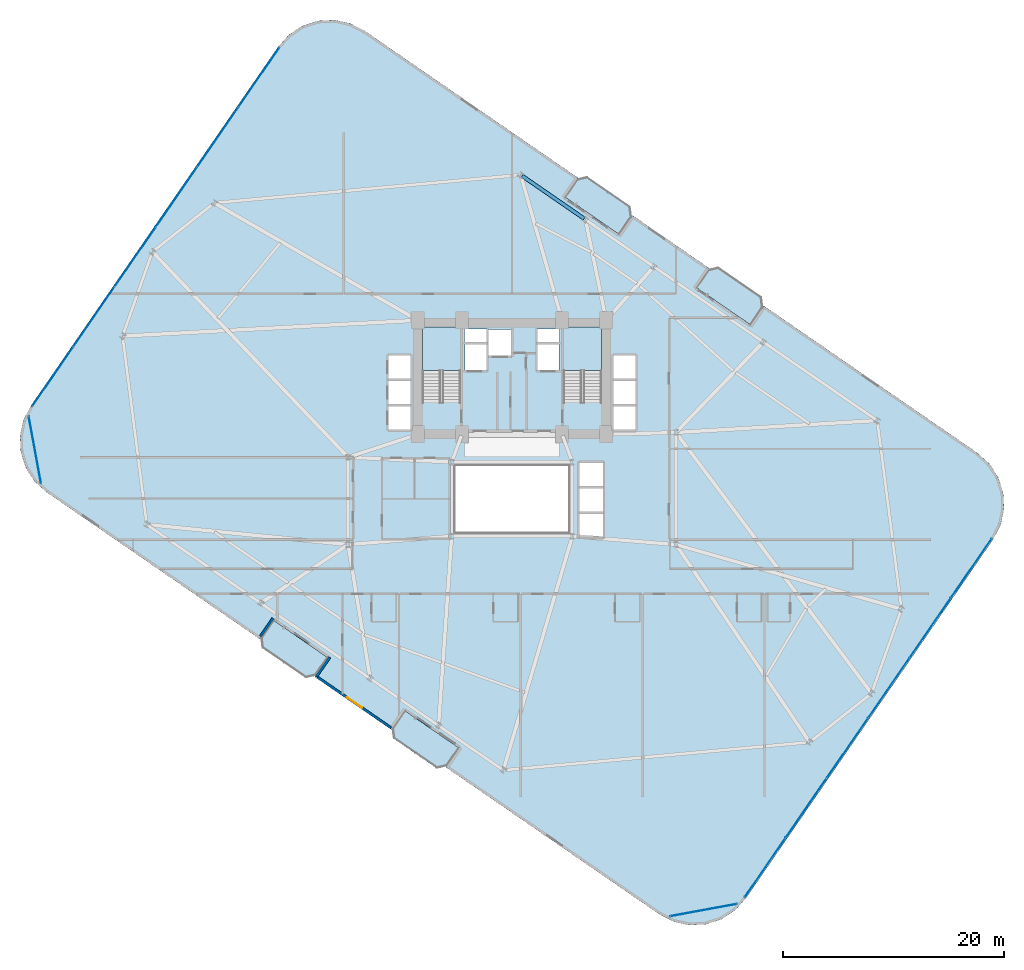
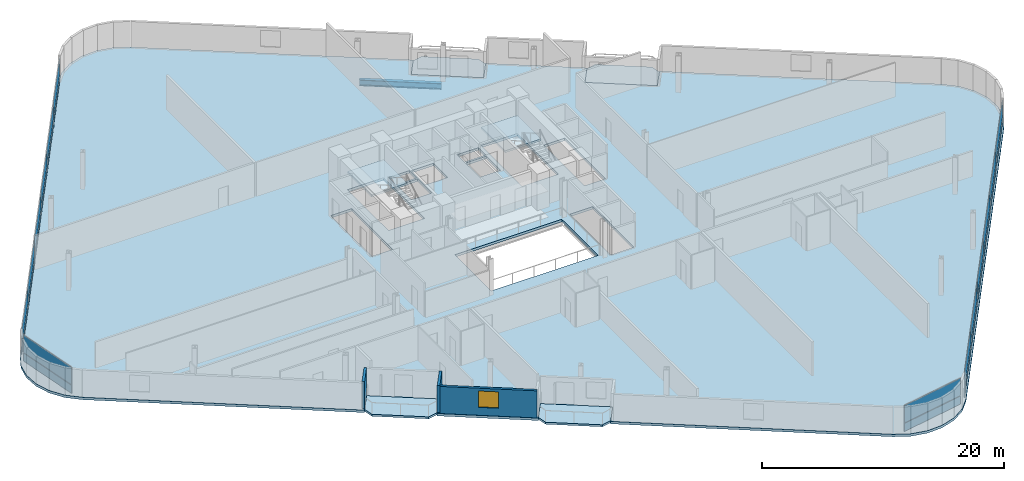
# One storey, part 18 of 26: 28 plates, 7 slabs, 3 walls, 1 beam, 1 window, 1 opening, 6 elements without a shape of their own.
"""IFC4 building model written with IfcOpenShell, lengths in metres."""

from ifc_helpers import new_model, si_unit, direction, frame, frame_2d, origin, origin_2d, place, context, subcontext, project, spatial, polyline, rectangle, i_section, outline, extrude, source, transform, mapped, material, layer, layer_set, material_profile, profile_set, type_object, element, fill, aggregate, save


model = new_model("IFC4")

# Units and contexts
model_context = context("Model", 3, precision=1e-05, world=origin(), true_north=direction((0.0, 1.0)))
body_context = subcontext(model_context, "Body", "Model", "MODEL_VIEW")
ifc_project = project(units=[si_unit("LENGTHUNIT", "METRE"), si_unit("AREAUNIT", "SQUARE_METRE"), si_unit("VOLUMEUNIT", "CUBIC_METRE"), si_unit("PLANEANGLEUNIT", "RADIAN"), si_unit("MASSUNIT", "GRAM", prefix="KILO")], contexts=[model_context])

# Site, building, storey
site_placement = place(None, origin())
site = spatial("IfcSite", under=ifc_project, at=site_placement, CompositionType="ELEMENT")
building_placement = place(site_placement, origin())
building = spatial("IfcBuilding", under=site, at=building_placement, Name="Varnelok Gate Tower", CompositionType="ELEMENT")
storey_placement = place(building_placement, frame((0.0, 0.0, 45.5)))
storey = spatial("IfcBuildingStorey", under=building, at=storey_placement, Name="L10", CompositionType="ELEMENT", Elevation=45.5)

# Beam
ifc_material_1 = material(Name="Structural Steel ASTM A992 Grade 50", Category="steel")
ifc_material_profile = material_profile(ifc_material_1, i_section(OverallWidth=0.323974609375, OverallDepth=0.611083984375, WebThickness=0.0126953125, FlangeThickness=0.01904296875, FilletRadius=0.01806640625, at=origin_2d()), Name="W24X104")
ifc_profile_set = profile_set([ifc_material_profile], Name="Structural Steel ASTM A992 Grade 50")
beam_type = type_object("IfcBeamType", Name="BM-SPN-W24X104", PredefinedType="SPANDREL", material=ifc_profile_set)
beam_placement = place(storey_placement, frame((45.708984375, 48.235107421875, -0.555419921875), z_axis=(-0.823553445566, 0.567238681947, 0.0), x_axis=(-0.567238681947, -0.823553445566, 0.0)))
element("IfcBeam", 1, at=beam_placement, inside=storey, type_object=beam_type, Name="L10 Perimeter Spandrel Beam 12", PredefinedType="SPANDREL", context=body_context, shape_type="SweptSolid", body=[
    extrude(i_section(OverallWidth=0.323974609375, OverallDepth=0.611083984375, WebThickness=0.0126953125, FlangeThickness=0.01904296875, FilletRadius=0.01806640625, at=origin_2d()), origin(), (0.0, 0.0, 1.0), 6.7998046875),
])

# Slabs
ifc_material_2 = material(Name="Concrete C45/55", Category="concrete")
ifc_layer_1 = layer(ifc_material_2, 0.199951171875)
ifc_layer_set_1 = layer_set([ifc_layer_1], Name="Concrete C45/55")
slab_type_1 = type_object("IfcSlabType", Name="SLB-BALC-200", PredefinedType="FLOOR", material=ifc_layer_set_1)
slab_1_placement = place(storey_placement, frame((0.0, 0.0, -0.199951171875)))
element("IfcSlab", 2, at=slab_1_placement, inside=storey, type_object=slab_type_1, Name="L10 South Hollow Balcony 1", PredefinedType="FLOOR", context=body_context, shape_type="SweptSolid", body=[
    extrude(outline(polyline([(16.5048828125, 10.3330078125), (16.67138671875, 9.42919921875), (20.5419921875, 6.762939453125), (21.446044921875, 6.929443359375), (22.58056640625, 8.57666015625), (17.639404296875, 11.980224609375), (16.5048828125, 10.3330078125)])), origin(), (0.0, 0.0, 1.0), 0.199951171875),
])
slab_2_placement = place(storey_placement, frame((0.0, 0.0, -0.199951171875)))
element("IfcSlab", 3, at=slab_2_placement, inside=storey, type_object=slab_type_1, Name="L10 South Hollow Balcony 2", PredefinedType="FLOOR", context=body_context, shape_type="SweptSolid", body=[
    extrude(outline(polyline([(28.36376953125, 2.164306640625), (28.5302734375, 1.260498046875), (32.40087890625, -1.40576171875), (33.304931640625, -1.2392578125), (34.439453125, 0.407958984375), (29.498291015625, 3.8115234375), (28.36376953125, 2.164306640625)])), origin(), (0.0, 0.0, 1.0), 0.199951171875),
])
slab_3_placement = place(storey_placement, frame((0.0, 0.0, -0.199951171875)))
element("IfcSlab", 4, at=slab_3_placement, inside=storey, type_object=slab_type_1, Name="L10 North Hollow Balcony 1", PredefinedType="FLOOR", context=body_context, shape_type="SweptSolid", body=[
    extrude(outline(polyline([(43.960693359375, 50.192138671875), (48.90185546875, 46.78857421875), (50.036376953125, 48.435546875), (49.869873046875, 49.339599609375), (45.999267578125, 52.005615234375), (45.09521484375, 51.839111328125), (43.960693359375, 50.192138671875)])), origin(), (0.0, 0.0, 1.0), 0.199951171875),
])
slab_4_placement = place(storey_placement, frame((0.0, 0.0, -0.199951171875)))
element("IfcSlab", 5, at=slab_4_placement, inside=storey, type_object=slab_type_1, Name="L10 North Hollow Balcony 2", PredefinedType="FLOOR", context=body_context, shape_type="SweptSolid", body=[
    extrude(outline(polyline([(55.819580078125, 42.0234375), (60.7607421875, 38.619873046875), (61.895263671875, 40.266845703125), (61.728515625, 41.1708984375), (57.85791015625, 43.837158203125), (56.9541015625, 43.67041015625), (55.819580078125, 42.0234375)])), origin(), (0.0, 0.0, 1.0), 0.199951171875),
])

# Stair, slab
ifc_material_3 = material(Name="Concrete C50/60", Category="concrete")
stair_type = type_object("IfcStairType", Name="STR-CORE-1650", PredefinedType="HALF_TURN_STAIR", material=ifc_material_3)
stair_1_placement = place(storey_placement, origin())
stair_1 = element("IfcStair", 6, at=stair_1_placement, inside=storey, type_object=stair_type, Name="L10 Exit Stair ST-1", PredefinedType="HALF_TURN_STAIR")
ifc_layer_2 = layer(ifc_material_2, 0.199951171875)
ifc_layer_set_2 = layer_set([ifc_layer_2], Name="Concrete C45/55")
slab_type_2 = type_object("IfcSlabType", Name="SLB-LAND-200", PredefinedType="LANDING", material=ifc_layer_set_2)
slab_5_placement = place(storey_placement, frame((0.0, 0.0, 1.64990234375)))
slab_5 = element("IfcSlab", 7, at=slab_5_placement, type_object=slab_type_2, Name="ST-1 landing 1", PredefinedType="LANDING", context=body_context, shape_type="SweptSolid", body=[
    extrude(outline(polyline([(34.550048828125, 34.5), (34.550048828125, 38.449951171875), (31.10009765625, 38.449951171875), (31.10009765625, 34.5), (34.550048828125, 34.5)])), origin(), (0.0, 0.0, 1.0), 0.2001953125),
])
aggregate(stair_1, [slab_5])

stair_2_placement = place(storey_placement, origin())
stair_2 = element("IfcStair", 8, at=stair_2_placement, inside=storey, type_object=stair_type, Name="L10 Exit Stair ST-2", PredefinedType="HALF_TURN_STAIR")
slab_6_placement = place(storey_placement, frame((0.0, 0.0, 1.64990234375)))
slab_6 = element("IfcSlab", 9, at=slab_6_placement, type_object=slab_type_2, Name="ST-2 landing 1", PredefinedType="LANDING", context=body_context, shape_type="SweptSolid", body=[
    extrude(outline(polyline([(47.300048828125, 34.5), (47.300048828125, 38.449951171875), (43.85009765625, 38.449951171875), (43.85009765625, 34.5), (47.300048828125, 34.5)])), origin(), (0.0, 0.0, 1.0), 0.2001953125),
])
aggregate(stair_2, [slab_6])

# Slab
ifc_layer_3 = layer(ifc_material_3, 0.25)
ifc_layer_set_3 = layer_set([ifc_layer_3], Name="Concrete C50/60")
slab_type_3 = type_object("IfcSlabType", Name="SLB-TYP-250", PredefinedType="FLOOR", material=ifc_layer_set_3)
slab_7_placement = place(storey_placement, frame((0.0, 0.0, -0.25)))
element("IfcSlab", 10, at=slab_7_placement, inside=storey, type_object=slab_type_3, Name="L10 Structural Floor Slab", PredefinedType="FLOOR", context=body_context, shape_type="SweptSolid", body=[
    extrude(outline(polyline([(-4.2578125, 31.3134765625), (-4.922607421875, 30.011474609375), (-5.22802734375, 28.581787109375), (-5.1533203125, 27.121826171875), (-4.702880859375, 25.731201171875), (-3.907958984375, 24.504150390625), (-2.822509765625, 23.52490234375), (7.7734375, 16.22607421875), (16.447998046875, 10.250732421875), (17.639404296875, 11.980224609375), (22.58056640625, 8.57666015625), (21.389404296875, 6.84716796875), (28.306884765625, 2.08203125), (29.498291015625, 3.8115234375), (34.439453125, 0.407958984375), (33.248046875, -1.321533203125), (41.922607421875, -7.296875), (52.518798828125, -14.595703125), (53.82080078125, -15.2607421875), (55.250244140625, -15.566162109375), (56.710205078125, -15.4912109375), (58.10107421875, -15.040771484375), (59.327880859375, -14.245849609375), (60.307373046875, -13.160400390625), (82.65771484375, 19.28662109375), (83.32275390625, 20.58837890625), (83.628173828125, 22.018310546875), (83.55322265625, 23.47802734375), (83.102783203125, 24.868896484375), (82.30810546875, 26.095703125), (81.22265625, 27.0751953125), (70.62646484375, 34.3740234375), (61.951904296875, 40.34912109375), (60.7607421875, 38.619873046875), (55.819580078125, 42.0234375), (57.0107421875, 43.752685546875), (50.093017578125, 48.517822265625), (48.90185546875, 46.78857421875), (43.960693359375, 50.192138671875), (45.15185546875, 51.92138671875), (36.477294921875, 57.896728515625), (25.881103515625, 65.195556640625), (24.579345703125, 65.860595703125), (23.149658203125, 66.166015625), (21.689697265625, 66.091064453125), (20.299072265625, 65.640869140625), (19.072021484375, 64.845947265625), (18.0927734375, 63.760498046875), (-4.2578125, 31.3134765625)]), holes=[polyline([(34.550048828125, 31.679931640625), (34.550048828125, 38.449951171875), (31.10009765625, 38.449951171875), (31.10009765625, 31.679931640625), (34.550048828125, 31.679931640625)]), polyline([(47.300048828125, 31.679931640625), (47.300048828125, 38.449951171875), (43.85009765625, 38.449951171875), (43.85009765625, 31.679931640625), (47.300048828125, 31.679931640625)]), polyline([(34.949951171875, 34.550048828125), (36.89990234375, 34.550048828125), (36.89990234375, 36.89990234375), (34.949951171875, 36.89990234375), (34.949951171875, 34.550048828125)]), polyline([(41.5, 34.550048828125), (43.449951171875, 34.550048828125), (43.449951171875, 36.89990234375), (41.5, 36.89990234375), (41.5, 34.550048828125)]), polyline([(37.050048828125, 35.85009765625), (39.14990234375, 35.85009765625), (39.14990234375, 38.199951171875), (37.050048828125, 38.199951171875), (37.050048828125, 35.85009765625)]), polyline([(28.050048828125, 29.14990234375), (30.050048828125, 29.14990234375), (30.050048828125, 35.89990234375), (28.050048828125, 35.89990234375), (28.050048828125, 29.14990234375)]), polyline([(48.35009765625, 29.14990234375), (50.35009765625, 29.14990234375), (50.35009765625, 35.89990234375), (48.35009765625, 35.89990234375), (48.35009765625, 29.14990234375)]), polyline([(45.25, 19.449951171875), (47.449951171875, 19.449951171875), (47.449951171875, 26.199951171875), (45.25, 26.199951171875), (45.25, 19.449951171875)]), polyline([(34.919921875, 37.080078125), (36.89990234375, 37.080078125), (36.89990234375, 38.280029296875), (34.919921875, 38.280029296875), (34.919921875, 37.080078125)]), polyline([(41.5, 37.080078125), (43.47998046875, 37.080078125), (43.47998046875, 38.280029296875), (41.5, 38.280029296875), (41.5, 37.080078125)]), polyline([(34.10009765625, 19.89990234375), (44.300048828125, 19.89990234375), (44.300048828125, 25.89990234375), (34.10009765625, 25.89990234375), (34.10009765625, 19.89990234375)])]), origin(), (0.0, 0.0, 1.0), 0.25),
])

# Curtain wall, plates
ifc_material_4 = material(Name="Anodized Aluminum Alloy 6063-T6", Category="aluminium")
ifc_layer_4 = layer(ifc_material_4, 0.179931640625)
ifc_layer_set_4 = layer_set([ifc_layer_4], Name="Anodized Aluminum Alloy 6063-T6")
curtain_wall_type_1 = type_object("IfcCurtainWallType", Name="CW3-HOTEL-VISION", PredefinedType="USERDEFINED", material=ifc_layer_set_4)
curtain_wall_1_placement = place(storey_placement, origin())
curtain_wall_1 = element("IfcCurtainWall", 11, at=curtain_wall_1_placement, inside=storey, type_object=curtain_wall_type_1, Name="L10 West End Vision Curtain Wall", ObjectType="UNITISED CURTAIN WALL", PredefinedType="USERDEFINED")
ifc_material_5 = material(Name="Low-E Laminated Double Glazing IGU", Category="glass")
ifc_layer_5 = layer(ifc_material_5, 0.031982421875)
ifc_layer_set_5 = layer_set([ifc_layer_5], Name="Low-E Laminated Double Glazing IGU")
plate_type_1 = type_object("IfcPlateType", Name="CW-PNL-IGU32", PredefinedType="CURTAIN_PANEL", material=ifc_layer_set_5)
shared_shape_1 = source(origin(), body_context, "Body", "SweptSolid", [
    extrude(rectangle(XDim=6.46923828125, YDim=0.031982421875, at=origin_2d()), origin(), (0.0, 0.0, 1.0), 0.802490234375),
])
plate_1_placement = place(storey_placement, frame((-2.270751953125, 33.951171875, 0.06494140625), z_axis=(0.0, 0.0, 1.0), x_axis=(0.567268822124, 0.823532685111, 0.0)))
plate_1 = element("IfcPlate", 12, at=plate_1_placement, type_object=plate_type_1, Name="CW3 panel 1.1", PredefinedType="CURTAIN_PANEL", context=body_context, shape_type="MappedRepresentation", body=[
    mapped(shared_shape_1, transform((0.0, 0.0, 0.0), scale=1.0)),
])
plate_2_placement = place(storey_placement, frame((16.336181640625, 60.9638671875, 0.06494140625), z_axis=(0.0, 0.0, 1.0), x_axis=(0.567268822124, 0.823532685111, 0.0)))
plate_2 = element("IfcPlate", 13, at=plate_2_placement, type_object=plate_type_1, Name="CW3 panel 6.1", PredefinedType="CURTAIN_PANEL", context=body_context, shape_type="MappedRepresentation", body=[
    mapped(shared_shape_1, transform((0.0, 0.0, 0.0), scale=1.0)),
])

curtain_wall_2_placement = place(storey_placement, origin())
curtain_wall_2 = element("IfcCurtainWall", 14, at=curtain_wall_2_placement, inside=storey, type_object=curtain_wall_type_1, Name="L10 East End Vision Curtain Wall", ObjectType="UNITISED CURTAIN WALL", PredefinedType="USERDEFINED")
plate_3_placement = place(storey_placement, frame((80.670654296875, 16.648681640625, 0.06494140625), z_axis=(0.0, 0.0, 1.0), x_axis=(-0.567268822124, -0.823532685111, 0.0)))
plate_3 = element("IfcPlate", 15, at=plate_3_placement, type_object=plate_type_1, Name="CW3 panel 1.1", PredefinedType="CURTAIN_PANEL", context=body_context, shape_type="MappedRepresentation", body=[
    mapped(shared_shape_1, transform((0.0, 0.0, 0.0), scale=1.0)),
])
plate_4_placement = place(storey_placement, frame((62.063720703125, -10.36376953125, 0.06494140625), z_axis=(0.0, 0.0, 1.0), x_axis=(-0.567268822124, -0.823532685111, 0.0)))
plate_4 = element("IfcPlate", 16, at=plate_4_placement, type_object=plate_type_1, Name="CW3 panel 6.1", PredefinedType="CURTAIN_PANEL", context=body_context, shape_type="MappedRepresentation", body=[
    mapped(shared_shape_1, transform((0.0, 0.0, 0.0), scale=1.0)),
])

# Plate
shared_shape_2 = source(origin(), body_context, "Body", "SweptSolid", [
    extrude(rectangle(XDim=6.46923828125, YDim=0.031982421875, at=origin_2d()), origin(), (0.0, 0.0, 1.0), 1.732421875),
])
plate_5_placement = place(storey_placement, frame((-2.270751953125, 33.951171875, 0.9326171875), z_axis=(0.0, 0.0, 1.0), x_axis=(0.567268822124, 0.823532685111, 0.0)))
plate_5 = element("IfcPlate", 17, at=plate_5_placement, type_object=plate_type_1, Name="CW3 panel 1.2", PredefinedType="CURTAIN_PANEL", context=body_context, shape_type="MappedRepresentation", body=[
    mapped(shared_shape_2, transform((0.0, 0.0, 0.0), scale=1.0)),
])

plate_6_placement = place(storey_placement, frame((16.336181640625, 60.9638671875, 0.9326171875), z_axis=(0.0, 0.0, 1.0), x_axis=(0.567268822124, 0.823532685111, 0.0)))
plate_6 = element("IfcPlate", 18, at=plate_6_placement, type_object=plate_type_1, Name="CW3 panel 6.2", PredefinedType="CURTAIN_PANEL", context=body_context, shape_type="MappedRepresentation", body=[
    mapped(shared_shape_2, transform((0.0, 0.0, 0.0), scale=1.0)),
])

plate_7_placement = place(storey_placement, frame((80.670654296875, 16.648681640625, 0.9326171875), z_axis=(0.0, 0.0, 1.0), x_axis=(-0.567268822124, -0.823532685111, 0.0)))
plate_7 = element("IfcPlate", 19, at=plate_7_placement, type_object=plate_type_1, Name="CW3 panel 1.2", PredefinedType="CURTAIN_PANEL", context=body_context, shape_type="MappedRepresentation", body=[
    mapped(shared_shape_2, transform((0.0, 0.0, 0.0), scale=1.0)),
])

plate_8_placement = place(storey_placement, frame((62.063720703125, -10.36376953125, 0.9326171875), z_axis=(0.0, 0.0, 1.0), x_axis=(-0.567268822124, -0.823532685111, 0.0)))
plate_8 = element("IfcPlate", 20, at=plate_8_placement, type_object=plate_type_1, Name="CW3 panel 6.2", PredefinedType="CURTAIN_PANEL", context=body_context, shape_type="MappedRepresentation", body=[
    mapped(shared_shape_2, transform((0.0, 0.0, 0.0), scale=1.0)),
])

shared_shape_3 = source(origin(), body_context, "Body", "SweptSolid", [
    extrude(rectangle(XDim=6.501708984375, YDim=0.031982421875, at=origin_2d()), origin(), (0.0, 0.0, 1.0), 0.802490234375),
])
plate_9_placement = place(storey_placement, frame((1.4453125, 39.345703125, 0.06494140625), z_axis=(0.0, 0.0, 1.0), x_axis=(0.567268822124, 0.823532685111, 0.0)))
plate_9 = element("IfcPlate", 21, at=plate_9_placement, type_object=plate_type_1, Name="CW3 panel 2.1", PredefinedType="CURTAIN_PANEL", context=body_context, shape_type="MappedRepresentation", body=[
    mapped(shared_shape_3, transform((0.0, 0.0, 0.0), scale=1.0)),
])

plate_10_placement = place(storey_placement, frame((5.170166015625, 44.753662109375, 0.06494140625), z_axis=(0.0, 0.0, 1.0), x_axis=(0.567268822124, 0.823532685111, 0.0)))
plate_10 = element("IfcPlate", 22, at=plate_10_placement, type_object=plate_type_1, Name="CW3 panel 3.1", PredefinedType="CURTAIN_PANEL", context=body_context, shape_type="MappedRepresentation", body=[
    mapped(shared_shape_3, transform((0.0, 0.0, 0.0), scale=1.0)),
])

plate_11_placement = place(storey_placement, frame((8.895263671875, 50.161376953125, 0.06494140625), z_axis=(0.0, 0.0, 1.0), x_axis=(0.567268822124, 0.823532685111, 0.0)))
plate_11 = element("IfcPlate", 23, at=plate_11_placement, type_object=plate_type_1, Name="CW3 panel 4.1", PredefinedType="CURTAIN_PANEL", context=body_context, shape_type="MappedRepresentation", body=[
    mapped(shared_shape_3, transform((0.0, 0.0, 0.0), scale=1.0)),
])

plate_12_placement = place(storey_placement, frame((12.620361328125, 55.5693359375, 0.06494140625), z_axis=(0.0, 0.0, 1.0), x_axis=(0.567268822124, 0.823532685111, 0.0)))
plate_12 = element("IfcPlate", 24, at=plate_12_placement, type_object=plate_type_1, Name="CW3 panel 5.1", PredefinedType="CURTAIN_PANEL", context=body_context, shape_type="MappedRepresentation", body=[
    mapped(shared_shape_3, transform((0.0, 0.0, 0.0), scale=1.0)),
])

plate_13_placement = place(storey_placement, frame((76.954833984375, 11.25439453125, 0.06494140625), z_axis=(0.0, 0.0, 1.0), x_axis=(-0.567268822124, -0.823532685111, 0.0)))
plate_13 = element("IfcPlate", 25, at=plate_13_placement, type_object=plate_type_1, Name="CW3 panel 2.1", PredefinedType="CURTAIN_PANEL", context=body_context, shape_type="MappedRepresentation", body=[
    mapped(shared_shape_3, transform((0.0, 0.0, 0.0), scale=1.0)),
])

plate_14_placement = place(storey_placement, frame((73.229736328125, 5.846435546875, 0.06494140625), z_axis=(0.0, 0.0, 1.0), x_axis=(-0.567268822124, -0.823532685111, 0.0)))
plate_14 = element("IfcPlate", 26, at=plate_14_placement, type_object=plate_type_1, Name="CW3 panel 3.1", PredefinedType="CURTAIN_PANEL", context=body_context, shape_type="MappedRepresentation", body=[
    mapped(shared_shape_3, transform((0.0, 0.0, 0.0), scale=1.0)),
])

plate_15_placement = place(storey_placement, frame((69.504638671875, 0.4384765625, 0.06494140625), z_axis=(0.0, 0.0, 1.0), x_axis=(-0.567268822124, -0.823532685111, 0.0)))
plate_15 = element("IfcPlate", 27, at=plate_15_placement, type_object=plate_type_1, Name="CW3 panel 4.1", PredefinedType="CURTAIN_PANEL", context=body_context, shape_type="MappedRepresentation", body=[
    mapped(shared_shape_3, transform((0.0, 0.0, 0.0), scale=1.0)),
])

plate_16_placement = place(storey_placement, frame((65.779541015625, -4.96923828125, 0.06494140625), z_axis=(0.0, 0.0, 1.0), x_axis=(-0.567268822124, -0.823532685111, 0.0)))
plate_16 = element("IfcPlate", 28, at=plate_16_placement, type_object=plate_type_1, Name="CW3 panel 5.1", PredefinedType="CURTAIN_PANEL", context=body_context, shape_type="MappedRepresentation", body=[
    mapped(shared_shape_3, transform((0.0, 0.0, 0.0), scale=1.0)),
])

shared_shape_4 = source(origin(), body_context, "Body", "SweptSolid", [
    extrude(rectangle(XDim=6.501708984375, YDim=0.031982421875, at=origin_2d()), origin(), (0.0, 0.0, 1.0), 1.732421875),
])
plate_17_placement = place(storey_placement, frame((1.4453125, 39.345703125, 0.9326171875), z_axis=(0.0, 0.0, 1.0), x_axis=(0.567268822124, 0.823532685111, 0.0)))
plate_17 = element("IfcPlate", 29, at=plate_17_placement, type_object=plate_type_1, Name="CW3 panel 2.2", PredefinedType="CURTAIN_PANEL", context=body_context, shape_type="MappedRepresentation", body=[
    mapped(shared_shape_4, transform((0.0, 0.0, 0.0), scale=1.0)),
])

plate_18_placement = place(storey_placement, frame((5.170166015625, 44.753662109375, 0.9326171875), z_axis=(0.0, 0.0, 1.0), x_axis=(0.567268822124, 0.823532685111, 0.0)))
plate_18 = element("IfcPlate", 30, at=plate_18_placement, type_object=plate_type_1, Name="CW3 panel 3.2", PredefinedType="CURTAIN_PANEL", context=body_context, shape_type="MappedRepresentation", body=[
    mapped(shared_shape_4, transform((0.0, 0.0, 0.0), scale=1.0)),
])

plate_19_placement = place(storey_placement, frame((8.895263671875, 50.161376953125, 0.9326171875), z_axis=(0.0, 0.0, 1.0), x_axis=(0.567268822124, 0.823532685111, 0.0)))
plate_19 = element("IfcPlate", 31, at=plate_19_placement, type_object=plate_type_1, Name="CW3 panel 4.2", PredefinedType="CURTAIN_PANEL", context=body_context, shape_type="MappedRepresentation", body=[
    mapped(shared_shape_4, transform((0.0, 0.0, 0.0), scale=1.0)),
])

plate_20_placement = place(storey_placement, frame((12.620361328125, 55.5693359375, 0.9326171875), z_axis=(0.0, 0.0, 1.0), x_axis=(0.567268822124, 0.823532685111, 0.0)))
plate_20 = element("IfcPlate", 32, at=plate_20_placement, type_object=plate_type_1, Name="CW3 panel 5.2", PredefinedType="CURTAIN_PANEL", context=body_context, shape_type="MappedRepresentation", body=[
    mapped(shared_shape_4, transform((0.0, 0.0, 0.0), scale=1.0)),
])

aggregate(curtain_wall_1, [plate_1, plate_5, plate_9, plate_17, plate_10, plate_18, plate_11, plate_19, plate_12, plate_20, plate_2, plate_6])

plate_21_placement = place(storey_placement, frame((76.954833984375, 11.25439453125, 0.9326171875), z_axis=(0.0, 0.0, 1.0), x_axis=(-0.567268822124, -0.823532685111, 0.0)))
plate_21 = element("IfcPlate", 33, at=plate_21_placement, type_object=plate_type_1, Name="CW3 panel 2.2", PredefinedType="CURTAIN_PANEL", context=body_context, shape_type="MappedRepresentation", body=[
    mapped(shared_shape_4, transform((0.0, 0.0, 0.0), scale=1.0)),
])

plate_22_placement = place(storey_placement, frame((73.229736328125, 5.846435546875, 0.9326171875), z_axis=(0.0, 0.0, 1.0), x_axis=(-0.567268822124, -0.823532685111, 0.0)))
plate_22 = element("IfcPlate", 34, at=plate_22_placement, type_object=plate_type_1, Name="CW3 panel 3.2", PredefinedType="CURTAIN_PANEL", context=body_context, shape_type="MappedRepresentation", body=[
    mapped(shared_shape_4, transform((0.0, 0.0, 0.0), scale=1.0)),
])

plate_23_placement = place(storey_placement, frame((69.504638671875, 0.4384765625, 0.9326171875), z_axis=(0.0, 0.0, 1.0), x_axis=(-0.567268822124, -0.823532685111, 0.0)))
plate_23 = element("IfcPlate", 35, at=plate_23_placement, type_object=plate_type_1, Name="CW3 panel 4.2", PredefinedType="CURTAIN_PANEL", context=body_context, shape_type="MappedRepresentation", body=[
    mapped(shared_shape_4, transform((0.0, 0.0, 0.0), scale=1.0)),
])

plate_24_placement = place(storey_placement, frame((65.779541015625, -4.96923828125, 0.9326171875), z_axis=(0.0, 0.0, 1.0), x_axis=(-0.567268822124, -0.823532685111, 0.0)))
plate_24 = element("IfcPlate", 36, at=plate_24_placement, type_object=plate_type_1, Name="CW3 panel 5.2", PredefinedType="CURTAIN_PANEL", context=body_context, shape_type="MappedRepresentation", body=[
    mapped(shared_shape_4, transform((0.0, 0.0, 0.0), scale=1.0)),
])

aggregate(curtain_wall_2, [plate_3, plate_7, plate_13, plate_21, plate_14, plate_22, plate_15, plate_23, plate_16, plate_24, plate_4, plate_8])

# Curtain wall, plate
ifc_layer_6 = layer(ifc_material_4, 0.179931640625)
ifc_layer_set_6 = layer_set([ifc_layer_6], Name="Anodized Aluminum Alloy 6063-T6")
curtain_wall_type_2 = type_object("IfcCurtainWallType", Name="CW5-WINDCORNER-GLAZ", PredefinedType="USERDEFINED", material=ifc_layer_set_6)
curtain_wall_3_placement = place(storey_placement, origin())
curtain_wall_3 = element("IfcCurtainWall", 37, at=curtain_wall_3_placement, inside=storey, type_object=curtain_wall_type_2, Name="L10 Wind-Shaped Corner Curtain Wall SW", ObjectType="STRUCTURAL GLAZING", PredefinedType="USERDEFINED")
ifc_layer_7 = layer(ifc_material_5, 0.0419921875)
ifc_layer_set_7 = layer_set([ifc_layer_7], Name="Low-E Laminated Double Glazing IGU")
plate_type_2 = type_object("IfcPlateType", Name="CW-PNL-SPN42", PredefinedType="CURTAIN_PANEL", material=ifc_layer_set_7)
shared_shape_5 = source(origin(), body_context, "Body", "SweptSolid", [
    extrude(rectangle(XDim=6.106689453125, YDim=0.0419921875, at=origin_2d()), origin(), (0.0, 0.0, 1.0), 0.802490234375),
])
plate_25_placement = place(storey_placement, frame((-3.880859375, 27.356201171875, 0.06494140625), z_axis=(0.0, 0.0, 1.0), x_axis=(0.181203239917, -0.983445670001, 0.0)))
plate_25 = element("IfcPlate", 38, at=plate_25_placement, type_object=plate_type_2, Name="CW5 panel 1.1", PredefinedType="CURTAIN_PANEL", context=body_context, shape_type="MappedRepresentation", body=[
    mapped(shared_shape_5, transform((0.0, 0.0, 0.0), scale=1.0)),
])

curtain_wall_4_placement = place(storey_placement, origin())
curtain_wall_4 = element("IfcCurtainWall", 39, at=curtain_wall_4_placement, inside=storey, type_object=curtain_wall_type_2, Name="L10 Wind-Shaped Corner Curtain Wall SE", ObjectType="STRUCTURAL GLAZING", PredefinedType="USERDEFINED")
plate_26_placement = place(storey_placement, frame((56.475830078125, -14.21875, 0.06494140625), z_axis=(0.0, 0.0, 1.0), x_axis=(0.983445670001, 0.181203239917, 0.0)))
plate_26 = element("IfcPlate", 40, at=plate_26_placement, type_object=plate_type_2, Name="CW5 panel 1.1", PredefinedType="CURTAIN_PANEL", context=body_context, shape_type="MappedRepresentation", body=[
    mapped(shared_shape_5, transform((0.0, 0.0, 0.0), scale=1.0)),
])

# Plate
shared_shape_6 = source(origin(), body_context, "Body", "SweptSolid", [
    extrude(rectangle(XDim=6.106689453125, YDim=0.0419921875, at=origin_2d()), origin(), (0.0, 0.0, 1.0), 1.732421875),
])
plate_27_placement = place(storey_placement, frame((-3.880859375, 27.356201171875, 0.9326171875), z_axis=(0.0, 0.0, 1.0), x_axis=(0.181203239917, -0.983445670001, 0.0)))
plate_27 = element("IfcPlate", 41, at=plate_27_placement, type_object=plate_type_2, Name="CW5 panel 1.2", PredefinedType="CURTAIN_PANEL", context=body_context, shape_type="MappedRepresentation", body=[
    mapped(shared_shape_6, transform((0.0, 0.0, 0.0), scale=1.0)),
])

aggregate(curtain_wall_3, [plate_25, plate_27])

plate_28_placement = place(storey_placement, frame((56.475830078125, -14.21875, 0.9326171875), z_axis=(0.0, 0.0, 1.0), x_axis=(0.983445670001, 0.181203239917, 0.0)))
plate_28 = element("IfcPlate", 42, at=plate_28_placement, type_object=plate_type_2, Name="CW5 panel 1.2", PredefinedType="CURTAIN_PANEL", context=body_context, shape_type="MappedRepresentation", body=[
    mapped(shared_shape_6, transform((0.0, 0.0, 0.0), scale=1.0)),
])

aggregate(curtain_wall_4, [plate_26, plate_28])

# Walls
ifc_layer_8 = layer(ifc_material_2, 0.219970703125)
ifc_layer_set_8 = layer_set([ifc_layer_8], Name="Concrete C45/55")
wall_type = type_object("IfcWallType", Name="EW-BALC-220", PredefinedType="SOLIDWALL", material=ifc_layer_set_8)
wall_1_placement = place(storey_placement, frame((16.48828125, 10.5205078125, 0.0), z_axis=(0.0, 0.0, 1.0), x_axis=(0.567131976434, 0.823626930902, 0.0)))
element("IfcWall", 43, at=wall_1_placement, inside=storey, type_object=wall_type, Name="L10 Perimeter Facade Closure Wall 8", PredefinedType="SOLIDWALL", context=body_context, shape_type="SweptSolid", body=[
    extrude(rectangle(XDim=1.97509765625, YDim=0.219970703125, at=frame_2d((0.987548828125, 0.0))), origin(), (0.0, 0.0, 1.0), 2.72998046875),
])
wall_2_placement = place(storey_placement, frame((22.747314453125, 8.607421875, 0.0), z_axis=(0.0, 0.0, 1.0), x_axis=(-0.567219383419, -0.823566737474, 0.0)))
element("IfcWall", 44, at=wall_2_placement, inside=storey, type_object=wall_type, Name="L10 Perimeter Facade Closure Wall 9", PredefinedType="SOLIDWALL", context=body_context, shape_type="SweptSolid", body=[
    extrude(rectangle(XDim=2.10009765625, YDim=0.219970703125, at=frame_2d((1.050048828125, 0.0))), origin(), (0.0, 0.0, 1.0), 2.72998046875),
])

# Wall, opening, window
wall_3_placement = place(storey_placement, frame((21.6591796875, 6.806884765625, 0.0), z_axis=(0.0, 0.0, 1.0), x_axis=(0.823535360023, -0.567264938799, 0.0)))
wall_3 = element("IfcWall", 45, at=wall_3_placement, inside=storey, type_object=wall_type, Name="L10 Perimeter Facade Closure Wall 10", PredefinedType="SOLIDWALL", context=body_context, shape_type="SweptSolid", body=[
    extrude(rectangle(XDim=8.034912109375, YDim=0.219970703125, at=frame_2d((4.017578125, 0.0))), origin(), (0.0, 0.0, 1.0), 2.72998046875),
])
opening_placement = place(wall_3_placement, frame((3.1923828125, 0.0, 0.800048828125)))
opening = element("IfcOpeningElement", 46, at=opening_placement, cuts=wall_3, Name="Opening WN3", PredefinedType="OPENING", context=body_context, shape_type="SweptSolid", body=[
    extrude(rectangle(XDim=1.64990234375, YDim=1.64990234375, at=frame_2d((0.824951171875, 0.824951171875))), frame((0.0, 0.119873046875, 0.0), z_axis=(0.0, -1.0, 0.0), x_axis=(1.0, 0.0, 0.0)), (0.0, 0.0, 1.0), 0.239990234375),
])
window_type = type_object("IfcWindowType", Name="WN-HTL-1650", PartitioningType="SINGLE_PANEL", PredefinedType="WINDOW", material=ifc_material_5)
window_placement = place(opening_placement, origin())
window = element("IfcWindow", 47, at=window_placement, inside=storey, type_object=window_type, Name="L10 Perimeter Vision Window 10", OverallHeight=1.64990234375, OverallWidth=1.64990234375, PartitioningType="SINGLE_PANEL", PredefinedType="WINDOW", context=body_context, shape_type="SweptSolid", body=[
    extrude(rectangle(XDim=1.64990234375, YDim=1.64990234375, at=frame_2d((0.824951171875, 0.824951171875))), frame((0.0, 0.030029296875, 0.0), z_axis=(0.0, -1.0, 0.0), x_axis=(1.0, 0.0, 0.0)), (0.0, 0.0, 1.0), 0.06005859375),
])
fill(opening, window)

save(model, "model.ifc")
